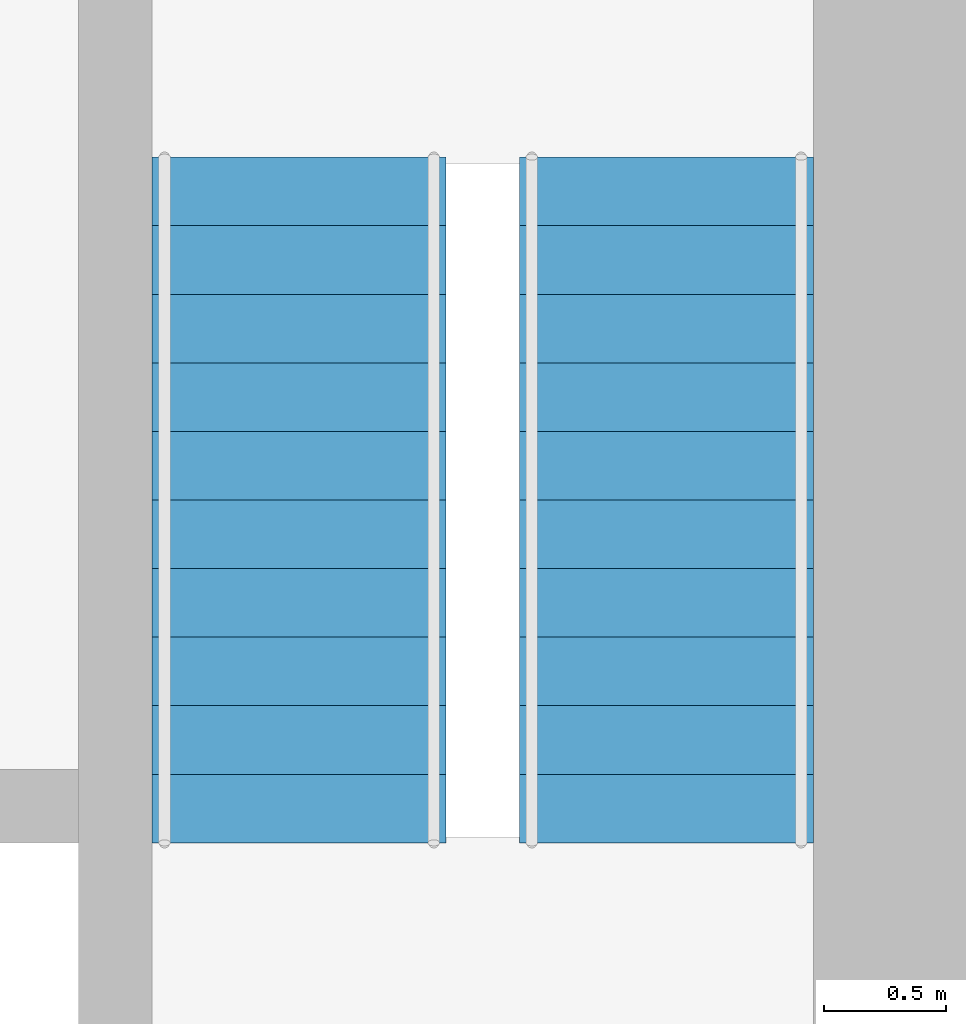
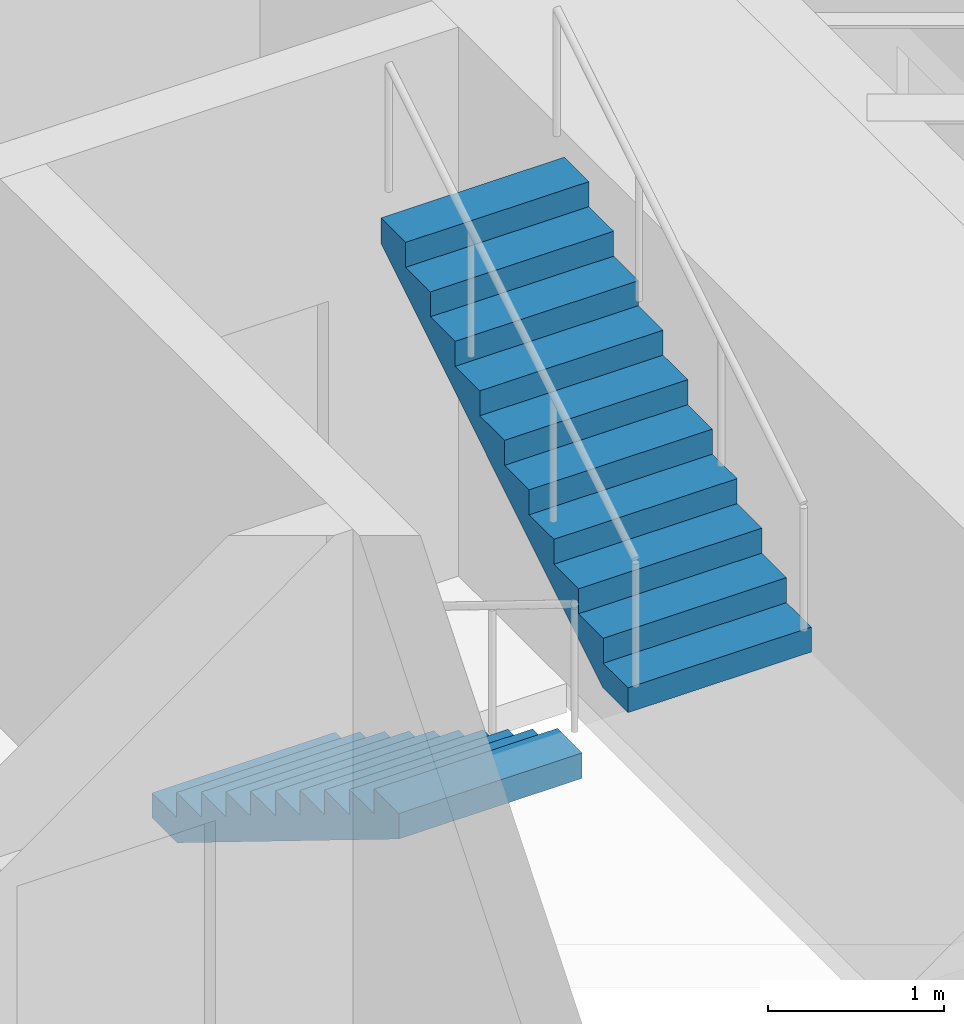
# One storey, part 16 of 17: 2 stair flights, 1 element without a shape of its own.
"""IFC4 building model written with IfcOpenShell, lengths in metres."""

import ifcopenshell
import ifcopenshell.guid

model = None  # the IFC model being written
_history = None  # IfcOwnerHistory: only IFC2X3 demands one
_inside = {}  # id of a spatial element -> (the spatial element, [elements in it])
_under = {}  # id of a project, library or spatial element -> (it, [spatial elements below it])
_declared = {}  # id of a project -> (the project, [libraries it declares])
_typed = {}  # id of a type object -> (the type object, [elements of that type])
_made_of = {}  # id of a material, layer set ... -> (it, [elements and type objects made of it])


def new_model(schema):
    """Start an empty IFC model of exactly this schema.

    Asked for "IFC4X3", IfcOpenShell would pick the latest addendum, in which some entities
    have other attributes; the version numbers below select the first issue.
    IFC2X3 requires an IfcOwnerHistory on every rooted entity: one is made here for all.
    """
    global model, _history
    if schema == "IFC4X3":
        model = ifcopenshell.file(schema_version=(4, 3, 0, 0))
    else:
        model = ifcopenshell.file(schema=schema)
    _inside.clear()
    _under.clear()
    _declared.clear()
    _typed.clear()
    _made_of.clear()
    _history = None
    if model.schema == "IFC2X3":
        org = make("IfcOrganization", Name="unknown")
        user = make(
            "IfcPersonAndOrganization",
            ThePerson=make("IfcPerson", FamilyName="unknown"),
            TheOrganization=org,
        )
        app = make(
            "IfcApplication",
            ApplicationDeveloper=org,
            Version="unknown",
            ApplicationFullName="unknown",
            ApplicationIdentifier="unknown",
        )
        _history = make(
            "IfcOwnerHistory",
            OwningUser=user,
            OwningApplication=app,
            ChangeAction="ADDED",
            CreationDate=0,
        )
    return model


def make(cls, **values):
    """One entity of the class cls with the attributes given. An attribute that is None is left unset."""
    return model.create_entity(
        cls, **{name: value for name, value in values.items() if value is not None}
    )


def rooted(cls, **values):
    """An entity with a GlobalId (a new one), such as an element, a storey or a relation."""
    return make(cls, GlobalId=ifcopenshell.guid.new(), OwnerHistory=_history, **values)


def si_unit(unit_type, name, prefix=None):
    """IfcSIUnit, for example si_unit("LENGTHUNIT", "METRE", prefix="MILLI")."""
    return make("IfcSIUnit", UnitType=unit_type, Prefix=prefix, Name=name)


def assignment(units):
    """IfcUnitAssignment: the units of a project."""
    return None if units is None else make("IfcUnitAssignment", Units=units)


def point(xyz):
    """IfcCartesianPoint."""
    return None if xyz is None else make("IfcCartesianPoint", Coordinates=xyz)


def direction(xyz):
    """IfcDirection."""
    return None if xyz is None else make("IfcDirection", DirectionRatios=xyz)


def frame(location, z_axis=None, x_axis=None):
    """IfcAxis2Placement3D, a coordinate frame: its origin and axes. An axis left out is left unset."""
    return make(
        "IfcAxis2Placement3D",
        Location=point(location),
        Axis=direction(z_axis),
        RefDirection=direction(x_axis),
    )


def origin():
    """The frame at (0, 0, 0) with its axes left unset."""
    return frame((0.0, 0.0, 0.0))


def place(relative_to, where):
    """IfcLocalPlacement: puts the frame where relative to a parent placement (None: the world)."""
    return make(
        "IfcLocalPlacement", PlacementRelTo=relative_to, RelativePlacement=where
    )


def context(
    kind, dimensions, precision=None, world=None, true_north=None, identifier=None
):
    """IfcGeometricRepresentationContext, for example the 3D "Model" context."""
    return make(
        "IfcGeometricRepresentationContext",
        ContextIdentifier=identifier,
        ContextType=kind,
        CoordinateSpaceDimension=dimensions,
        Precision=precision,
        WorldCoordinateSystem=world,
        TrueNorth=true_north,
    )


def subcontext(parent, identifier, kind, view, scale=None):
    """IfcGeometricRepresentationSubContext, for example "Body" below "Model"."""
    return make(
        "IfcGeometricRepresentationSubContext",
        ContextIdentifier=identifier,
        ContextType=kind,
        ParentContext=parent,
        TargetScale=scale,
        TargetView=view,
    )


def project(units=None, contexts=None):
    """IfcProject with its units and contexts."""
    return rooted(
        "IfcProject",
        Name="project",
        RepresentationContexts=contexts,
        UnitsInContext=assignment(units),
    )


def spatial(cls, under=None, at=None, **own):
    """A site, building, storey or space (cls), placed at a placement, below another one or the project."""
    s = rooted(cls, ObjectPlacement=at, **own)
    if under is not None:
        _under.setdefault(under.id(), (under, []))[1].append(s)
    return s


def polyline(points):
    """IfcPolyline through the points."""
    return make("IfcPolyline", Points=[point(p) for p in points])


def outline(outer, holes=None, kind="AREA"):
    """IfcArbitraryClosedProfileDef: a profile drawn as a closed curve; with holes, ...WithVoids."""
    if holes is None:
        return make("IfcArbitraryClosedProfileDef", ProfileType=kind, OuterCurve=outer)
    return make(
        "IfcArbitraryProfileDefWithVoids",
        ProfileType=kind,
        OuterCurve=outer,
        InnerCurves=holes,
    )


def extrude(swept, where, along, depth):
    """IfcExtrudedAreaSolid: the profile swept, set in the frame where, extruded along a direction by depth."""
    return make(
        "IfcExtrudedAreaSolid",
        SweptArea=swept,
        Position=where,
        ExtrudedDirection=direction(along),
        Depth=depth,
    )


def shape(context_of_items, identifier, shape_type, items):
    """IfcShapeRepresentation: the items that make up one representation, for example the "Body"."""
    return make(
        "IfcShapeRepresentation",
        ContextOfItems=context_of_items,
        RepresentationIdentifier=identifier,
        RepresentationType=shape_type,
        Items=items,
    )


def material(Name=None, Category=None):
    """IfcMaterial."""
    return make("IfcMaterial", Name=Name, Category=Category)


def made_of(thing, what):
    """Note that an element or type object is made of a material, layer set ...; save() writes the relation."""
    if what is not None:
        _made_of.setdefault(what.id(), (what, []))[1].append(thing)
    return thing


def type_object(cls, material=None, **own):
    """A type object (cls), such as IfcWallType, which elements share."""
    return made_of(rooted(cls, **own), material)


def element(
    cls,
    number,
    at=None,
    inside=None,
    cuts=None,
    type_object=None,
    material=None,
    context=None,
    identifier="Body",
    shape_type=None,
    held_by="IfcProductDefinitionShape",
    body=None,
    shapes=None,
    **own,
):
    """One element of the class cls, such as IfcWall. Its Tag is "e" and its number.

    at: its placement. inside: the storey or other place that contains it. cuts: it is an
    opening in that element (IfcRelVoidsElement). A single representation is given by context,
    identifier, shape_type and body (its items); several are given by shapes. held_by: the class
    of the entity that holds the representations. save() writes the other relations.
    """
    e = rooted(cls, Tag="e%d" % number, ObjectPlacement=at, **own)
    if body is not None:
        shapes = [shape(context, identifier, shape_type, body)]
    if shapes is not None:
        e.Representation = make(held_by, Representations=shapes)
    if inside is not None:
        _inside.setdefault(inside.id(), (inside, []))[1].append(e)
    if cuts is not None:
        rooted(
            "IfcRelVoidsElement", RelatingBuildingElement=cuts, RelatedOpeningElement=e
        )
    if type_object is not None:
        _typed.setdefault(type_object.id(), (type_object, []))[1].append(e)
    return made_of(e, material)


def aggregate(whole, parts):
    """IfcRelAggregates: a whole, such as a stair, and the parts it consists of."""
    return rooted("IfcRelAggregates", RelatingObject=whole, RelatedObjects=parts)


def save(model, path):
    """Write the relations noted so far, then the file.

    IfcRelAggregates (storeys below a building ...), IfcRelContainedInSpatialStructure (elements
    in a storey), IfcRelDefinesByType, IfcRelAssociatesMaterial and IfcRelDeclares: one each for
    every whole, place, type object, material and project.
    """
    for whole, parts in _under.values():
        aggregate(whole, parts)
    for where, things in _inside.values():
        rooted(
            "IfcRelContainedInSpatialStructure",
            RelatedElements=things,
            RelatingStructure=where,
        )
    for kind, things in _typed.values():
        rooted("IfcRelDefinesByType", RelatedObjects=things, RelatingType=kind)
    for what, things in _made_of.values():
        rooted("IfcRelAssociatesMaterial", RelatedObjects=things, RelatingMaterial=what)
    for by, libraries in _declared.values():
        rooted("IfcRelDeclares", RelatingContext=by, RelatedDefinitions=libraries)
    model.write(path)


model = new_model("IFC4")

# Units and contexts
model_context = context("Model", 3, precision=1e-05, world=origin(), true_north=direction((0.0, 1.0)))
body_context = subcontext(model_context, "Body", "Model", "MODEL_VIEW")
ifc_project = project(units=[si_unit("LENGTHUNIT", "METRE"), si_unit("AREAUNIT", "SQUARE_METRE"), si_unit("VOLUMEUNIT", "CUBIC_METRE"), si_unit("PLANEANGLEUNIT", "RADIAN"), si_unit("MASSUNIT", "GRAM", prefix="KILO")], contexts=[model_context])

# Site, building, storey
site_placement = place(None, origin())
site = spatial("IfcSite", under=ifc_project, at=site_placement, CompositionType="ELEMENT")
building_placement = place(site_placement, origin())
building = spatial("IfcBuilding", under=site, at=building_placement, Name="Sandreach Pilgrim Tower", CompositionType="ELEMENT")
storey_placement = place(building_placement, frame((0.0, 0.0, 83.800048828125)))
storey = spatial("IfcBuildingStorey", under=building, at=storey_placement, Name="L20", CompositionType="ELEMENT", Elevation=83.800048828125)

# Stair, stair flights
ifc_material_1 = material(Name="Concrete 8000 psi", Category="concrete")
stair_type = type_object("IfcStairType", Name="Core exit stair", PredefinedType="HALF_TURN_STAIR", material=ifc_material_1)
stair_placement = place(storey_placement, origin())
stair = element("IfcStair", 1, at=stair_placement, inside=storey, type_object=stair_type, Name="Exit stair ST2 L20", PredefinedType="HALF_TURN_STAIR")
ifc_material_2 = material(Name="Concrete 8000 psi", Category="concrete")
stair_flight_type = type_object("IfcStairFlightType", Name="Core stair flight 1200", PredefinedType="STRAIGHT", material=ifc_material_2)
stair_flight_1_placement = place(storey_placement, frame((5.64990234375, -0.39990234375, 0.0), z_axis=(0.0, 0.0, 1.0), x_axis=(0.0, -1.0, 0.0)))
stair_flight_1 = element("IfcStairFlight", 2, at=stair_flight_1_placement, type_object=stair_flight_type, Name="ST2 flight 1", NumberOfRisers=11, NumberOfTreads=10, PredefinedType="STRAIGHT", RiserHeight=0.172727273, TreadLength=0.28, context=body_context, shape_type="SweptSolid", body=[
    extrude(outline(polyline([(0.0, 0.0), (0.0, 0.172607421875), (0.280029296875, 0.172607421875), (0.280029296875, 0.345458984375), (0.56005859375, 0.345458984375), (0.56005859375, 0.51806640625), (0.840087890625, 0.51806640625), (0.840087890625, 0.69091796875), (1.1201171875, 0.69091796875), (1.1201171875, 0.863525390625), (1.39990234375, 0.863525390625), (1.39990234375, 1.036376953125), (1.679931640625, 1.036376953125), (1.679931640625, 1.208984375), (1.9599609375, 1.208984375), (1.9599609375, 1.3818359375), (2.239990234375, 1.3818359375), (2.239990234375, 1.554443359375), (2.52001953125, 1.554443359375), (2.52001953125, 1.727294921875), (2.800048828125, 1.727294921875), (2.800048828125, 1.89990234375), (2.800048828125, 1.551025390625), (0.285400390625, 0.0), (0.0, 0.0)])), frame((0.0, 0.60009765625, 0.0), z_axis=(0.0, -1.0, 0.0), x_axis=(1.0, 0.0, 0.0)), (0.0, 0.0, 1.0), 1.199951171875),
])
stair_flight_2_placement = place(storey_placement, frame((7.14990234375, -3.199951171875, 1.89990234375), z_axis=(0.0, 0.0, 1.0), x_axis=(0.0, 1.0, 0.0)))
stair_flight_2 = element("IfcStairFlight", 3, at=stair_flight_2_placement, type_object=stair_flight_type, Name="ST2 flight 2", NumberOfRisers=11, NumberOfTreads=10, PredefinedType="STRAIGHT", RiserHeight=0.172727273, TreadLength=0.28, context=body_context, shape_type="SweptSolid", body=[
    extrude(outline(polyline([(0.0, 0.0), (0.0, 0.172607421875), (0.280029296875, 0.172607421875), (0.280029296875, 0.345458984375), (0.56005859375, 0.345458984375), (0.56005859375, 0.51806640625), (0.840087890625, 0.51806640625), (0.840087890625, 0.69091796875), (1.1201171875, 0.69091796875), (1.1201171875, 0.863525390625), (1.39990234375, 0.863525390625), (1.39990234375, 1.036376953125), (1.679931640625, 1.036376953125), (1.679931640625, 1.208984375), (1.9599609375, 1.208984375), (1.9599609375, 1.3818359375), (2.239990234375, 1.3818359375), (2.239990234375, 1.554443359375), (2.52001953125, 1.554443359375), (2.52001953125, 1.727294921875), (2.800048828125, 1.727294921875), (2.800048828125, 1.89990234375), (2.800048828125, 1.551025390625), (0.285400390625, 0.0), (0.0, 0.0)])), frame((0.0, 0.60009765625, 0.0), z_axis=(0.0, -1.0, 0.0), x_axis=(1.0, 0.0, 0.0)), (0.0, 0.0, 1.0), 1.199951171875),
])
aggregate(stair, [stair_flight_1, stair_flight_2])

save(model, "model.ifc")
